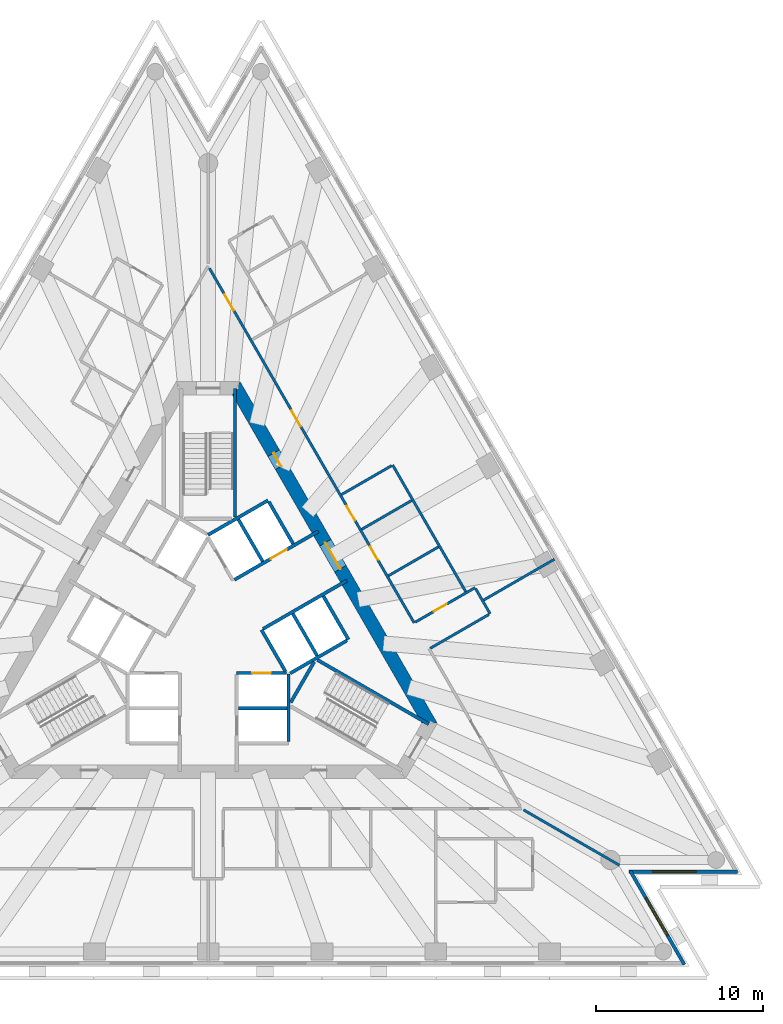
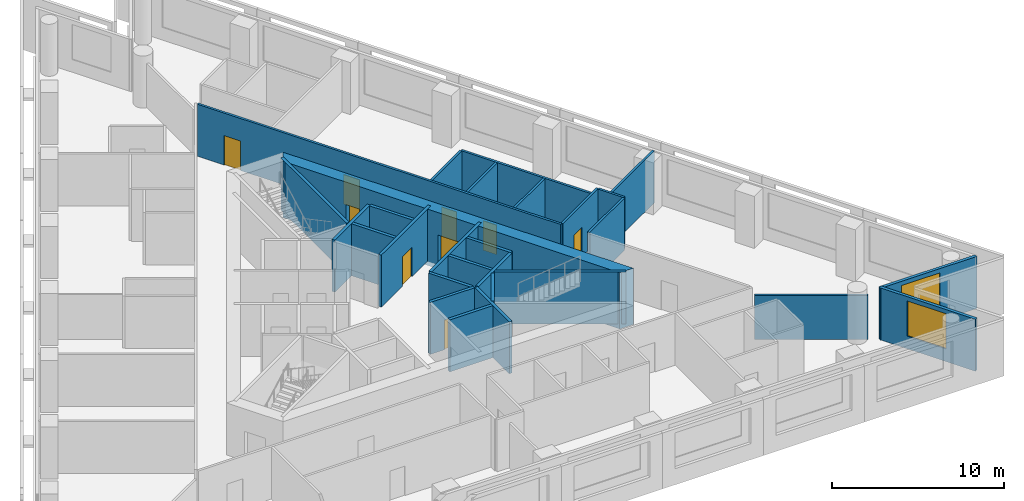
# One storey, part 5 of 9: 28 walls, 9 doors, 2 windows, 11 openings.
"""IFC4 building model written with IfcOpenShell, lengths in metres."""

from ifc_helpers import new_model, si_unit, direction, frame, frame_2d, origin, place, context, subcontext, project, spatial, polyline, rectangle, outline, extrude, material, layer, layer_set, layer_usage, type_object, element, fill, save


model = new_model("IFC4")

# Units and contexts
model_context = context("Model", 3, precision=1e-05, world=origin(), true_north=direction((0.0, 1.0)))
body_context = subcontext(model_context, "Body", "Model", "MODEL_VIEW")
ifc_project = project(units=[si_unit("LENGTHUNIT", "METRE"), si_unit("AREAUNIT", "SQUARE_METRE"), si_unit("VOLUMEUNIT", "CUBIC_METRE"), si_unit("PLANEANGLEUNIT", "RADIAN"), si_unit("MASSUNIT", "GRAM", prefix="KILO")], contexts=[model_context])

# Site, building, storey
site_placement = place(None, origin())
site = spatial("IfcSite", under=ifc_project, at=site_placement, CompositionType="ELEMENT")
building_placement = place(site_placement, origin())
building = spatial("IfcBuilding", under=site, at=building_placement, Name="Triada Interchange Tower", CompositionType="ELEMENT")
storey_placement = place(building_placement, frame((0.0, 0.0, 136.300048828125)))
storey = spatial("IfcBuildingStorey", under=building, at=storey_placement, Name="L31", CompositionType="ELEMENT", Elevation=136.300048828125)

# Wall
ifc_material_1 = material(Name="Concrete C30/37", Category="concrete")
ifc_layer_1 = layer(ifc_material_1, 0.199951171875)
ifc_layer_set_1 = layer_set([ifc_layer_1], Name="CORE WALL 200 EI 120")
wall_type_1 = type_object("IfcWallType", Name="CORE WALL 200 EI 120", PredefinedType="SOLIDWALL", material=ifc_layer_set_1)
wall_1_placement = place(storey_placement, frame((1.800048828125, -4.800048828125, 0.0), z_axis=(0.0, 0.0, 1.0), x_axis=(1.0, 0.0, 0.0)))
element("IfcWall", 1, at=wall_1_placement, inside=storey, type_object=wall_type_1, Name="Wall L29 60", PredefinedType="SOLIDWALL", context=body_context, shape_type="SweptSolid", body=[
    extrude(rectangle(XDim=2.89990234375, YDim=0.199951171875, at=frame_2d((1.449951171875, 0.0))), origin(), (0.0, 0.0, 1.0), 3.699951171875),
])

# Wall, opening, door
wall_2_placement = place(storey_placement, frame((1.702880859375, -2.699951171875, 0.0), z_axis=(0.0, 0.0, 1.0), x_axis=(1.0, 0.0, 0.0)))
wall_2 = element("IfcWall", 2, at=wall_2_placement, inside=storey, type_object=wall_type_1, Name="Wall L29 63", PredefinedType="SOLIDWALL", context=body_context, shape_type="SweptSolid", body=[
    extrude(rectangle(XDim=2.97314453125, YDim=0.199951171875, at=frame_2d((1.486572265625, 0.0))), origin(), (0.0, 0.0, 1.0), 3.699951171875),
])
opening_1_placement = place(wall_2_placement, frame((0.93603515625, 0.0, 0.0)))
opening_1 = element("IfcOpeningElement", 3, at=opening_1_placement, cuts=wall_2, Name="Opening LD-LR1", PredefinedType="OPENING", context=body_context, shape_type="SweptSolid", body=[
    extrude(rectangle(XDim=1.10009765625, YDim=2.10009765625, at=frame_2d((0.550048828125, 1.050048828125))), frame((0.0, 0.10986328125, 0.0), z_axis=(0.0, -1.0, 0.0), x_axis=(1.0, 0.0, 0.0)), (0.0, 0.0, 1.0), 0.219970703125),
])
ifc_material_2 = material(Name="Steel S235 door leaf", Category="steel")
door_type_1 = type_object("IfcDoorType", Name="LIFT LANDING DOOR 1100 EI 120", OperationType="SLIDING_TO_LEFT", PredefinedType="DOOR", material=ifc_material_2)
door_1_placement = place(opening_1_placement, origin())
door_1 = element("IfcDoor", 4, at=door_1_placement, inside=storey, type_object=door_type_1, Name="LR1 landing door L31", OperationType="SLIDING_TO_LEFT", OverallHeight=2.10009765625, OverallWidth=1.10009765625, PredefinedType="DOOR", context=body_context, shape_type="SweptSolid", body=[
    extrude(rectangle(XDim=1.10009765625, YDim=2.10009765625, at=frame_2d((0.550048828125, 1.050048828125))), frame((0.0, 0.02490234375, 0.0), z_axis=(0.0, -1.0, 0.0), x_axis=(1.0, 0.0, 0.0)), (0.0, 0.0, 1.0), 0.050048828125),
])
fill(opening_1, door_1)

# Walls
wall_3_placement = place(storey_placement, frame((-0.001953125, 5.5419921875, 0.0), z_axis=(0.0, 0.0, 1.0), x_axis=(0.866103910842, 0.499863997127, 0.0)))
element("IfcWall", 5, at=wall_3_placement, inside=storey, type_object=wall_type_1, Name="Wall L29 64", PredefinedType="SOLIDWALL", context=body_context, shape_type="SweptSolid", body=[
    extrude(rectangle(XDim=4.131103515625, YDim=0.199951171875, at=frame_2d((2.0654296875, 0.0))), origin(), (0.0, 0.0, 1.0), 3.699951171875),
])
wall_4_placement = place(storey_placement, frame((3.18994140625, -0.125, 0.0), z_axis=(0.0, 0.0, 1.0), x_axis=(0.499988658015, -0.866031951983, 0.0)))
element("IfcWall", 6, at=wall_4_placement, inside=storey, type_object=wall_type_1, Name="Wall L29 66", PredefinedType="SOLIDWALL", context=body_context, shape_type="SweptSolid", body=[
    extrude(rectangle(XDim=2.85791015625, YDim=0.199951171875, at=frame_2d((1.428955078125, 0.0))), origin(), (0.0, 0.0, 1.0), 3.699951171875),
])

# Wall, opening, door
wall_5_placement = place(storey_placement, frame((1.576904296875, 2.8740234375, 0.0), z_axis=(0.0, 0.0, 1.0), x_axis=(0.866073694534, 0.499916348638, 0.0)))
wall_5 = element("IfcWall", 7, at=wall_5_placement, inside=storey, type_object=wall_type_1, Name="Wall L29 67", PredefinedType="SOLIDWALL", context=body_context, shape_type="SweptSolid", body=[
    extrude(rectangle(XDim=5.77685546875, YDim=0.199951171875, at=frame_2d((2.888427734375, 0.0))), origin(), (0.0, 0.0, 1.0), 3.699951171875),
])
opening_2_placement = place(wall_5_placement, frame((2.4970703125, 0.0, 0.0)))
opening_2 = element("IfcOpeningElement", 8, at=opening_2_placement, cuts=wall_5, Name="Opening LD-LR6", PredefinedType="OPENING", context=body_context, shape_type="SweptSolid", body=[
    extrude(rectangle(XDim=1.10009765625, YDim=2.10009765625, at=frame_2d((0.550048828125, 1.050048828125))), frame((0.0, 0.10986328125, 0.0), z_axis=(0.0, -1.0, 0.0), x_axis=(1.0, 0.0, 0.0)), (0.0, 0.0, 1.0), 0.219970703125),
])
door_2_placement = place(opening_2_placement, origin())
door_2 = element("IfcDoor", 9, at=door_2_placement, inside=storey, type_object=door_type_1, Name="LR6 landing door L31", OperationType="SLIDING_TO_LEFT", OverallHeight=2.10009765625, OverallWidth=1.10009765625, PredefinedType="DOOR", context=body_context, shape_type="SweptSolid", body=[
    extrude(rectangle(XDim=1.10009765625, YDim=2.10009765625, at=frame_2d((0.550048828125, 1.050048828125))), frame((0.0, 0.02490234375, 0.0), z_axis=(0.0, -1.0, 0.0), x_axis=(1.0, 0.0, 0.0)), (0.0, 0.0, 1.0), 0.050048828125),
])
fill(opening_2, door_2)

# Walls
wall_6_placement = place(storey_placement, frame((4.800048828125, -6.800048828125, 0.0), z_axis=(0.0, 0.0, 1.0), x_axis=(0.0, 1.0, 0.0)))
element("IfcWall", 10, at=wall_6_placement, inside=storey, type_object=wall_type_1, Name="Wall L29 69", PredefinedType="SOLIDWALL", context=body_context, shape_type="SweptSolid", body=[
    extrude(rectangle(XDim=4.029052734375, YDim=0.199951171875, at=frame_2d((2.0146484375, 0.0))), origin(), (0.0, 0.0, 1.0), 3.699951171875),
])
wall_7_placement = place(storey_placement, frame((3.6259765625, 7.52001953125, 0.0), z_axis=(0.0, 0.0, 1.0), x_axis=(0.500060147554, -0.865990674793, 0.0)))
element("IfcWall", 11, at=wall_7_placement, inside=storey, type_object=wall_type_1, Name="Wall L29 70", PredefinedType="SOLIDWALL", context=body_context, shape_type="SweptSolid", body=[
    extrude(rectangle(XDim=2.899658203125, YDim=0.199951171875, at=frame_2d((1.44970703125, 0.0))), origin(), (0.0, 0.0, 1.0), 3.699951171875),
])
wall_8_placement = place(storey_placement, frame((6.8759765625, 1.89111328125, 0.0), z_axis=(0.0, 0.0, 1.0), x_axis=(0.499990139034, -0.866031096941, 0.0)))
element("IfcWall", 12, at=wall_8_placement, inside=storey, type_object=wall_type_1, Name="Wall L29 71", PredefinedType="SOLIDWALL", context=body_context, shape_type="SweptSolid", body=[
    extrude(rectangle(XDim=3.0, YDim=0.199951171875, at=frame_2d((1.5, 0.0))), origin(), (0.0, 0.0, 1.0), 3.699951171875),
])
for number, where, z_axis, x_axis, name in (
    (13, (1.806884765625, 6.469970703125, 0.0), (0.0, 0.0, 1.0), (0.50012328804, -0.865954211699, 0.0), "Wall L29 72"),
    (14, (5.056884765625, 0.841064453125, 0.0), (0.0, 0.0, 1.0), (0.50012328804, -0.865954211699, 0.0), "Wall L29 73"),
):
    element("IfcWall", number, at=place(storey_placement, frame(where, z_axis=z_axis, x_axis=x_axis)), inside=storey, type_object=wall_type_1, Name=name, PredefinedType="SOLIDWALL", context=body_context, shape_type="SweptSolid", body=[
        extrude(rectangle(XDim=2.899658203125, YDim=0.199951171875, at=frame_2d((1.44970703125, 0.0))), origin(), (0.0, 0.0, 1.0), 3.699951171875),
    ])
wall_9_placement = place(storey_placement, frame((3.278076171875, -0.071044921875, 0.0), z_axis=(0.0, 0.0, 1.0), x_axis=(0.865929348003, 0.5001663366, 0.0)))
element("IfcWall", 15, at=wall_9_placement, inside=storey, type_object=wall_type_1, Name="Wall L29 74", PredefinedType="SOLIDWALL", context=body_context, shape_type="SweptSolid", body=[
    extrude(rectangle(XDim=5.7763671875, YDim=0.199951171875, at=frame_2d((2.88818359375, 0.0))), origin(), (0.0, 0.0, 1.0), 3.699951171875),
])
wall_10_placement = place(storey_placement, frame((4.89990234375, -2.714111328125, 0.0), z_axis=(0.0, 0.0, 1.0), x_axis=(0.865992350556, 0.500057245502, 0.0)))
element("IfcWall", 16, at=wall_10_placement, inside=storey, type_object=wall_type_1, Name="Wall L29 75", PredefinedType="SOLIDWALL", context=body_context, shape_type="SweptSolid", body=[
    extrude(rectangle(XDim=3.91357421875, YDim=0.199951171875, at=frame_2d((1.956787109375, 0.0))), origin(), (0.0, 0.0, 1.0), 3.699951171875),
])
ifc_layer_2 = layer(ifc_material_1, 0.199951171875)
ifc_layer_set_2 = layer_set([ifc_layer_2], Name="CORE WALL 200 REI 240")
wall_type_2 = type_object("IfcWallType", Name="CORE WALL 200 REI 240", PredefinedType="SOLIDWALL", material=ifc_layer_set_2)
wall_11_placement = place(storey_placement, frame((1.60009765625, 6.614990234375, 0.0), z_axis=(0.0, 0.0, 1.0), x_axis=(0.0, 1.0, 0.0)))
element("IfcWall", 17, at=wall_11_placement, inside=storey, type_object=wall_type_2, Name="Wall L29 95", PredefinedType="SOLIDWALL", context=body_context, shape_type="SweptSolid", body=[
    extrude(rectangle(XDim=7.6650390625, YDim=0.199951171875, at=frame_2d((3.83251953125, 0.0))), origin(), (0.0, 0.0, 1.0), 3.699951171875),
])
wall_12_placement = place(storey_placement, frame((4.928955078125, -4.4619140625, 0.0), z_axis=(0.0, 0.0, 1.0), x_axis=(0.500200581029, 0.865909567298, 0.0)))
element("IfcWall", 18, at=wall_12_placement, inside=storey, type_object=wall_type_2, Name="Wall L29 99", PredefinedType="SOLIDWALL", context=body_context, shape_type="SweptSolid", body=[
    extrude(rectangle(XDim=2.799072265625, YDim=0.199951171875, at=frame_2d((1.3994140625, 0.0))), origin(), (0.0, 0.0, 1.0), 3.699951171875),
])
wall_13_placement = place(storey_placement, frame((6.529052734375, -1.922119140625, 0.0), z_axis=(0.0, 0.0, 1.0), x_axis=(0.866060938598, -0.499938446846, 0.0)))
element("IfcWall", 19, at=wall_13_placement, inside=storey, type_object=wall_type_2, Name="Wall L29 100", PredefinedType="SOLIDWALL", context=body_context, shape_type="SweptSolid", body=[
    extrude(rectangle(XDim=7.66455078125, YDim=0.199951171875, at=frame_2d((3.832275390625, 0.0))), origin(), (0.0, 0.0, 1.0), 3.699951171875),
])

# Wall, openings, doors
ifc_material_3 = material(Name="Concrete C60/75", Category="concrete")
ifc_layer_3 = layer(ifc_material_3, 0.800048828125)
ifc_layer_set_3 = layer_set([ifc_layer_3], Name="Core wall B 800")
wall_type_3 = type_object("IfcWallType", Name="Core wall B 800", PredefinedType="SHEAR", material=ifc_layer_set_3)
wall_14_placement = place(storey_placement, frame((13.220947265625, -5.699951171875, -0.300048828125), z_axis=(0.0, 0.0, 1.0), x_axis=(-0.499995765644, 0.866027848477, 0.0)))
wall_14 = element("IfcWall", 20, at=wall_14_placement, inside=storey, type_object=wall_type_3, Name="Core wall WB06 L31", PredefinedType="SHEAR", context=body_context, shape_type="SweptSolid", body=[
    extrude(outline(polyline([(-0.23095703125, -0.39990234375), (1.73193359375, -0.39990234375), (3.695068359375, -0.39990234375), (5.657958984375, -0.39990234375), (7.62109375, -0.39990234375), (9.583984375, -0.39990234375), (11.546875, -0.39990234375), (13.510009765625, -0.39990234375), (15.472900390625, -0.39990234375), (17.43603515625, -0.39990234375), (19.39892578125, -0.39990234375), (21.362060546875, -0.39990234375), (23.324951171875, -0.39990234375), (22.863037109375, 0.39990234375), (20.97705078125, 0.39990234375), (19.091064453125, 0.39990234375), (17.205078125, 0.39990234375), (15.319091796875, 0.39990234375), (13.43310546875, 0.39990234375), (11.546875, 0.39990234375), (9.660888671875, 0.39990234375), (7.77490234375, 0.39990234375), (5.888916015625, 0.39990234375), (4.0029296875, 0.39990234375), (2.116943359375, 0.39990234375), (0.23095703125, 0.39990234375), (-0.23095703125, -0.39990234375)])), origin(), (0.0, 0.0, 1.0), 4.0),
])
opening_3_placement = place(wall_14_placement, frame((10.64697265625, 0.0, 0.300048828125)))
opening_3 = element("IfcOpeningElement", 21, at=opening_3_placement, cuts=wall_14, Name="Opening D29-37", PredefinedType="OPENING", context=body_context, shape_type="SweptSolid", body=[
    extrude(rectangle(XDim=1.800048828125, YDim=2.10009765625, at=frame_2d((0.89990234375, 1.050048828125))), frame((0.0, 0.409912109375, 0.0), z_axis=(0.0, -1.0, 0.0), x_axis=(1.0, 0.0, 0.0)), (0.0, 0.0, 1.0), 0.820068359375),
])
opening_4_placement = place(wall_14_placement, frame((17.720947265625, 0.0, 0.300048828125)))
opening_4 = element("IfcOpeningElement", 22, at=opening_4_placement, cuts=wall_14, Name="Opening D29-44", PredefinedType="OPENING", context=body_context, shape_type="SweptSolid", body=[
    extrude(rectangle(XDim=0.89990234375, YDim=2.10009765625, at=frame_2d((0.449951171875, 1.050048828125))), frame((0.0, 0.409912109375, 0.0), z_axis=(0.0, -1.0, 0.0), x_axis=(1.0, 0.0, 0.0)), (0.0, 0.0, 1.0), 0.820068359375),
])
door_type_2 = type_object("IfcDoorType", Name="LOBBY DOOR 1800 EI2 90-C5S200", OperationType="DOUBLE_DOOR_SINGLE_SWING", PredefinedType="DOOR", material=ifc_material_2)
door_3_placement = place(opening_3_placement, origin())
door_3 = element("IfcDoor", 23, at=door_3_placement, inside=storey, type_object=door_type_2, Name="Door D29-37 L31", OperationType="DOUBLE_DOOR_SINGLE_SWING", OverallHeight=2.10009765625, OverallWidth=1.800048828125, PredefinedType="DOOR", context=body_context, shape_type="SweptSolid", body=[
    extrude(rectangle(XDim=1.800048828125, YDim=2.10009765625, at=frame_2d((0.89990234375, 1.050048828125))), frame((0.0, 0.02490234375, 0.0), z_axis=(0.0, -1.0, 0.0), x_axis=(1.0, 0.0, 0.0)), (0.0, 0.0, 1.0), 0.050048828125),
])
fill(opening_3, door_3)
door_type_3 = type_object("IfcDoorType", Name="SERVICE DOOR 900 EI2 45-C5S200", OperationType="NOTDEFINED", PredefinedType="DOOR", material=ifc_material_2)
door_4_placement = place(opening_4_placement, origin())
door_4 = element("IfcDoor", 24, at=door_4_placement, inside=storey, type_object=door_type_3, Name="Door D29-44 L31", OperationType="SINGLE_SWING_RIGHT", OverallHeight=2.10009765625, OverallWidth=0.89990234375, PredefinedType="DOOR", context=body_context, shape_type="SweptSolid", body=[
    extrude(rectangle(XDim=0.89990234375, YDim=2.10009765625, at=frame_2d((0.449951171875, 1.050048828125))), frame((0.0, 0.02490234375, 0.0), z_axis=(0.0, -1.0, 0.0), x_axis=(1.0, 0.0, 0.0)), (0.0, 0.0, 1.0), 0.050048828125),
])
fill(opening_4, door_4)

# Wall, opening, window
ifc_material_4 = material(Name="Cement board")
ifc_layer_4 = layer(ifc_material_4, 0.02001953125, Name="Cement board cladding")
ifc_material_5 = material(Name="Sheathing board")
ifc_layer_5 = layer(ifc_material_5, 0.014892578125, Name="Sheathing board")
ifc_material_6 = material(Name="Mineral wool")
ifc_layer_6 = layer(ifc_material_6, 0.14990234375, Name="Mineral wool between steel studs")
ifc_material_7 = material(Name="Gypsum board")
ifc_layer_7 = layer(ifc_material_7, 0.014892578125, Name="Plasterboard lining")
ifc_layer_set_4 = layer_set([ifc_layer_4, ifc_layer_5, ifc_layer_6, ifc_layer_7], Name="External wall 200")
ifc_layer_usage = layer_usage(ifc_layer_set_4, "AXIS2", "POSITIVE", -0.10009765625)
wall_type_4 = type_object("IfcWallType", Name="External wall 200", PredefinedType="ELEMENTEDWALL", material=ifc_layer_set_4)
wall_15_placement = place(storey_placement, frame((28.43408203125, -20.110107421875, 0.0), z_axis=(0.0, 0.0, 1.0), x_axis=(-0.499975110204, 0.866039773438, 0.0)))
wall_15 = element("IfcWall", 25, at=wall_15_placement, inside=storey, type_object=wall_type_4, material=ifc_layer_usage, Name="External wall L31 SE-1", PredefinedType="ELEMENTEDWALL", context=body_context, shape_type="SweptSolid", body=[
    extrude(rectangle(XDim=6.468505859375, YDim=0.199951171875, at=frame_2d((3.234375, 0.0))), origin(), (0.0, 0.0, 1.0), 3.699951171875),
])
opening_5_placement = place(wall_15_placement, frame((1.989990234375, 0.0, 0.89990234375)))
opening_5 = element("IfcOpeningElement", 26, at=opening_5_placement, cuts=wall_15, Name="Opening WB19", PredefinedType="OPENING", context=body_context, shape_type="SweptSolid", body=[
    extrude(rectangle(XDim=2.60009765625, YDim=2.5, at=frame_2d((1.300048828125, 1.25))), frame((0.0, 0.10986328125, 0.0), z_axis=(0.0, -1.0, 0.0), x_axis=(1.0, 0.0, 0.0)), (0.0, 0.0, 1.0), 0.219970703125),
])
ifc_material_8 = material(Name="Double glazed aluminium window", Category="aluminium")
window_type = type_object("IfcWindowType", Name="Ribbon window B pocket", PartitioningType="SINGLE_PANEL", PredefinedType="WINDOW", material=ifc_material_8)
window_1_placement = place(opening_5_placement, origin())
window_1 = element("IfcWindow", 27, at=window_1_placement, inside=storey, type_object=window_type, Name="Window L31 SE-1 1", OverallHeight=2.5, OverallWidth=2.60009765625, PartitioningType="SINGLE_PANEL", PredefinedType="WINDOW", context=body_context, shape_type="SweptSolid", body=[
    extrude(rectangle(XDim=2.60009765625, YDim=2.5, at=frame_2d((1.300048828125, 1.25))), frame((0.0, 0.030029296875, 0.0), z_axis=(0.0, -1.0, 0.0), x_axis=(1.0, 0.0, 0.0)), (0.0, 0.0, 1.0), 0.06005859375),
])
fill(opening_5, window_1)

wall_16_placement = place(storey_placement, frame((25.14501953125, -14.569091796875, 0.0), z_axis=(0.0, 0.0, 1.0), x_axis=(1.0, 0.0, 0.0)))
wall_16 = element("IfcWall", 28, at=wall_16_placement, inside=storey, type_object=wall_type_4, material=ifc_layer_usage, Name="External wall L31 SE-2", PredefinedType="ELEMENTEDWALL", context=body_context, shape_type="SweptSolid", body=[
    extrude(rectangle(XDim=6.468017578125, YDim=0.199951171875, at=frame_2d((3.23388671875, 0.0))), origin(), (0.0, 0.0, 1.0), 3.699951171875),
])
opening_6_placement = place(wall_16_placement, frame((1.389892578125, 0.0, 0.89990234375)))
opening_6 = element("IfcOpeningElement", 29, at=opening_6_placement, cuts=wall_16, Name="Opening WB20", PredefinedType="OPENING", context=body_context, shape_type="SweptSolid", body=[
    extrude(rectangle(XDim=2.60009765625, YDim=2.5, at=frame_2d((1.300048828125, 1.25))), frame((0.0, 0.10986328125, 0.0), z_axis=(0.0, -1.0, 0.0), x_axis=(1.0, 0.0, 0.0)), (0.0, 0.0, 1.0), 0.219970703125),
])
window_2_placement = place(opening_6_placement, origin())
window_2 = element("IfcWindow", 30, at=window_2_placement, inside=storey, type_object=window_type, Name="Window L31 SE-2 1", OverallHeight=2.5, OverallWidth=2.60009765625, PartitioningType="SINGLE_PANEL", PredefinedType="WINDOW", context=body_context, shape_type="SweptSolid", body=[
    extrude(rectangle(XDim=2.60009765625, YDim=2.5, at=frame_2d((1.300048828125, 1.25))), frame((0.0, 0.030029296875, 0.0), z_axis=(0.0, -1.0, 0.0), x_axis=(1.0, 0.0, 0.0)), (0.0, 0.0, 1.0), 0.06005859375),
])
fill(opening_6, window_2)

# Wall
ifc_material_9 = material(Name="Gypsum board partition")
ifc_layer_8 = layer(ifc_material_9, 0.14990234375)
ifc_layer_set_5 = layer_set([ifc_layer_8], Name="PARTITION 150 EI 180")
wall_type_5 = type_object("IfcWallType", Name="PARTITION 150 EI 180", PredefinedType="PARTITIONING", material=ifc_layer_set_5)
wall_17_placement = place(storey_placement, frame((18.8359375, -10.875, 0.0), z_axis=(0.0, 0.0, 1.0), x_axis=(0.866045319897, -0.499965502695, 0.0)))
element("IfcWall", 31, at=wall_17_placement, inside=storey, type_object=wall_type_5, Name="Wall L29 9", PredefinedType="PARTITIONING", context=body_context, shape_type="SweptSolid", body=[
    extrude(rectangle(XDim=6.6083984375, YDim=0.14990234375, at=frame_2d((3.30419921875, 0.0))), origin(), (0.0, 0.0, 1.0), 3.14990234375),
])

# Wall, openings, doors
wall_18_placement = place(storey_placement, frame((0.075927734375, 21.468017578125, 0.0), z_axis=(0.0, 0.0, 1.0), x_axis=(0.50001203818, -0.866018453426, 0.0)))
wall_18 = element("IfcWall", 32, at=wall_18_placement, inside=storey, type_object=wall_type_5, Name="Wall L29 24", PredefinedType="PARTITIONING", context=body_context, shape_type="SweptSolid", body=[
    extrude(rectangle(XDim=24.44775390625, YDim=0.14990234375, at=frame_2d((12.223876953125, 0.0))), origin(), (0.0, 0.0, 1.0), 3.699951171875),
])
opening_7_placement = place(wall_18_placement, frame((9.798095703125, 0.0, 0.0)))
opening_7 = element("IfcOpeningElement", 33, at=opening_7_placement, cuts=wall_18, Name="Opening D29-22", PredefinedType="OPENING", context=body_context, shape_type="SweptSolid", body=[
    extrude(rectangle(XDim=1.10009765625, YDim=2.10009765625, at=frame_2d((0.550048828125, 1.050048828125))), frame((0.0, 0.0849609375, 0.0), z_axis=(0.0, -1.0, 0.0), x_axis=(1.0, 0.0, 0.0)), (0.0, 0.0, 1.0), 0.169921875),
])
opening_8_placement = place(wall_18_placement, frame((19.197998046875, 0.0, 0.0)))
opening_8 = element("IfcOpeningElement", 34, at=opening_8_placement, cuts=wall_18, Name="Opening D29-24", PredefinedType="OPENING", context=body_context, shape_type="SweptSolid", body=[
    extrude(rectangle(XDim=0.89990234375, YDim=2.10009765625, at=frame_2d((0.449951171875, 1.050048828125))), frame((0.0, 0.0849609375, 0.0), z_axis=(0.0, -1.0, 0.0), x_axis=(1.0, 0.0, 0.0)), (0.0, 0.0, 1.0), 0.169921875),
])
opening_9_placement = place(wall_18_placement, frame((16.39794921875, 0.0, 0.0)))
opening_9 = element("IfcOpeningElement", 35, at=opening_9_placement, cuts=wall_18, Name="Opening D29-25", PredefinedType="OPENING", context=body_context, shape_type="SweptSolid", body=[
    extrude(rectangle(XDim=1.0, YDim=2.10009765625, at=frame_2d((0.5, 1.050048828125))), frame((0.0, 0.0849609375, 0.0), z_axis=(0.0, -1.0, 0.0), x_axis=(1.0, 0.0, 0.0)), (0.0, 0.0, 1.0), 0.169921875),
])
opening_10_placement = place(wall_18_placement, frame((1.81494140625, 0.0, 0.0)))
opening_10 = element("IfcOpeningElement", 36, at=opening_10_placement, cuts=wall_18, Name="Opening D29-26", PredefinedType="OPENING", context=body_context, shape_type="SweptSolid", body=[
    extrude(rectangle(XDim=1.10009765625, YDim=2.10009765625, at=frame_2d((0.550048828125, 1.050048828125))), frame((0.0, 0.0849609375, 0.0), z_axis=(0.0, -1.0, 0.0), x_axis=(1.0, 0.0, 0.0)), (0.0, 0.0, 1.0), 0.169921875),
])
door_type_4 = type_object("IfcDoorType", Name="ROOM DOOR 1000 EI2 90-C5S200", OperationType="NOTDEFINED", PredefinedType="DOOR", material=ifc_material_2)
door_5_placement = place(opening_9_placement, origin())
door_5 = element("IfcDoor", 37, at=door_5_placement, inside=storey, type_object=door_type_4, Name="Door D29-25 L31", OperationType="SINGLE_SWING_LEFT", OverallHeight=2.10009765625, OverallWidth=1.0, PredefinedType="DOOR", context=body_context, shape_type="SweptSolid", body=[
    extrude(rectangle(XDim=1.0, YDim=2.10009765625, at=frame_2d((0.5, 1.050048828125))), frame((0.0, 0.02490234375, 0.0), z_axis=(0.0, -1.0, 0.0), x_axis=(1.0, 0.0, 0.0)), (0.0, 0.0, 1.0), 0.050048828125),
])
fill(opening_9, door_5)
door_type_5 = type_object("IfcDoorType", Name="ROOM DOOR 900 EI2 90-C5S200", OperationType="NOTDEFINED", PredefinedType="DOOR", material=ifc_material_2)
door_6_placement = place(opening_8_placement, origin())
door_6 = element("IfcDoor", 38, at=door_6_placement, inside=storey, type_object=door_type_5, Name="Door D29-24 L31", OperationType="SINGLE_SWING_LEFT", OverallHeight=2.10009765625, OverallWidth=0.89990234375, PredefinedType="DOOR", context=body_context, shape_type="SweptSolid", body=[
    extrude(rectangle(XDim=0.89990234375, YDim=2.10009765625, at=frame_2d((0.449951171875, 1.050048828125))), frame((0.0, 0.02490234375, 0.0), z_axis=(0.0, -1.0, 0.0), x_axis=(1.0, 0.0, 0.0)), (0.0, 0.0, 1.0), 0.050048828125),
])
fill(opening_8, door_6)
door_type_6 = type_object("IfcDoorType", Name="TENANCY ENTRANCE DOOR 1100 EI2 90-C5S200", OperationType="NOTDEFINED", PredefinedType="DOOR", material=ifc_material_2)
door_7_placement = place(opening_7_placement, origin())
door_7 = element("IfcDoor", 39, at=door_7_placement, inside=storey, type_object=door_type_6, Name="Door D29-22 L31", OperationType="SINGLE_SWING_LEFT", OverallHeight=2.10009765625, OverallWidth=1.10009765625, PredefinedType="DOOR", context=body_context, shape_type="SweptSolid", body=[
    extrude(rectangle(XDim=1.10009765625, YDim=2.10009765625, at=frame_2d((0.550048828125, 1.050048828125))), frame((0.0, 0.02490234375, 0.0), z_axis=(0.0, -1.0, 0.0), x_axis=(1.0, 0.0, 0.0)), (0.0, 0.0, 1.0), 0.050048828125),
])
fill(opening_7, door_7)
door_8_placement = place(opening_10_placement, origin())
door_8 = element("IfcDoor", 40, at=door_8_placement, inside=storey, type_object=door_type_6, Name="Door D29-26 L31", OperationType="SINGLE_SWING_LEFT", OverallHeight=2.10009765625, OverallWidth=1.10009765625, PredefinedType="DOOR", context=body_context, shape_type="SweptSolid", body=[
    extrude(rectangle(XDim=1.10009765625, YDim=2.10009765625, at=frame_2d((0.550048828125, 1.050048828125))), frame((0.0, 0.02490234375, 0.0), z_axis=(0.0, -1.0, 0.0), x_axis=(1.0, 0.0, 0.0)), (0.0, 0.0, 1.0), 0.050048828125),
])
fill(opening_10, door_8)

# Walls
wall_19_placement = place(storey_placement, frame((11.01806640625, 9.717041015625, 0.0), z_axis=(0.0, 0.0, 1.0), x_axis=(0.499888770922, -0.866089612399, 0.0)))
element("IfcWall", 41, at=wall_19_placement, inside=storey, type_object=wall_type_5, Name="Wall L29 31", PredefinedType="PARTITIONING", context=body_context, shape_type="SweptSolid", body=[
    extrude(rectangle(XDim=8.7255859375, YDim=0.14990234375, at=frame_2d((4.36279296875, 0.0))), origin(), (0.0, 0.0, 1.0), 3.699951171875),
])
wall_20_placement = place(storey_placement, frame((7.965087890625, 7.9541015625, 0.0), z_axis=(0.0, 0.0, 1.0), x_axis=(0.866044174857, 0.499967486139, 0.0)))
element("IfcWall", 42, at=wall_20_placement, inside=storey, type_object=wall_type_5, Name="Wall L29 32", PredefinedType="PARTITIONING", context=body_context, shape_type="SweptSolid", body=[
    extrude(rectangle(XDim=3.449951171875, YDim=0.14990234375, at=frame_2d((1.72509765625, 0.0))), origin(), (0.0, 0.0, 1.0), 3.699951171875),
])
for number, where, z_axis, x_axis, name in (
    (43, (9.1650390625, 5.8759765625, 0.0), (0.0, 0.0, 1.0), (0.866031223622, 0.49998991961, 0.0), "Wall L29 33"),
    (44, (10.764892578125, 3.10400390625, 0.0), (0.0, 0.0, 1.0), (0.866031223622, 0.49998991961, 0.0), "Wall L29 34"),
):
    element("IfcWall", number, at=place(storey_placement, frame(where, z_axis=z_axis, x_axis=x_axis)), inside=storey, type_object=wall_type_5, Name=name, PredefinedType="PARTITIONING", context=body_context, shape_type="SweptSolid", body=[
        extrude(rectangle(XDim=3.4501953125, YDim=0.14990234375, at=frame_2d((1.72509765625, 0.0))), origin(), (0.0, 0.0, 1.0), 3.699951171875),
    ])

# Wall, opening, door
wall_21_placement = place(storey_placement, frame((12.365966796875, 0.3330078125, 0.0), z_axis=(0.0, 0.0, 1.0), x_axis=(0.865997263264, 0.500048737644, 0.0)))
wall_21 = element("IfcWall", 45, at=wall_21_placement, inside=storey, type_object=wall_type_5, Name="Wall L29 35", PredefinedType="PARTITIONING", context=body_context, shape_type="SweptSolid", body=[
    extrude(rectangle(XDim=4.12353515625, YDim=0.14990234375, at=frame_2d((2.061767578125, 0.0))), origin(), (0.0, 0.0, 1.0), 3.699951171875),
])
opening_11_placement = place(wall_21_placement, frame((1.27392578125, 0.0, 0.0)))
opening_11 = element("IfcOpeningElement", 46, at=opening_11_placement, cuts=wall_21, Name="Opening D29-23", PredefinedType="OPENING", context=body_context, shape_type="SweptSolid", body=[
    extrude(rectangle(XDim=0.89990234375, YDim=2.10009765625, at=frame_2d((0.449951171875, 1.050048828125))), frame((0.0, 0.0849609375, 0.0), z_axis=(0.0, -1.0, 0.0), x_axis=(1.0, 0.0, 0.0)), (0.0, 0.0, 1.0), 0.169921875),
])
door_9_placement = place(opening_11_placement, origin())
door_9 = element("IfcDoor", 47, at=door_9_placement, inside=storey, type_object=door_type_5, Name="Door D29-23 L31", OperationType="SINGLE_SWING_LEFT", OverallHeight=2.10009765625, OverallWidth=0.89990234375, PredefinedType="DOOR", context=body_context, shape_type="SweptSolid", body=[
    extrude(rectangle(XDim=0.89990234375, YDim=2.10009765625, at=frame_2d((0.449951171875, 1.050048828125))), frame((0.0, 0.02490234375, 0.0), z_axis=(0.0, -1.0, 0.0), x_axis=(1.0, 0.0, 0.0)), (0.0, 0.0, 1.0), 0.050048828125),
])
fill(opening_11, door_9)

# Walls
wall_22_placement = place(storey_placement, frame((15.97509765625, 2.3310546875, 0.0), z_axis=(0.0, 0.0, 1.0), x_axis=(0.499640762619, -0.866232710263, 0.0)))
element("IfcWall", 48, at=wall_22_placement, inside=storey, type_object=wall_type_5, Name="Wall L29 37", PredefinedType="PARTITIONING", context=body_context, shape_type="SweptSolid", body=[
    extrude(rectangle(XDim=1.724853515625, YDim=0.14990234375, at=frame_2d((0.8623046875, 0.0))), origin(), (0.0, 0.0, 1.0), 3.699951171875),
])
wall_23_placement = place(storey_placement, frame((16.451904296875, 1.654052734375, 0.0), z_axis=(0.0, 0.0, 1.0), x_axis=(0.866097235509, 0.49987556316, 0.0)))
element("IfcWall", 49, at=wall_23_placement, inside=storey, type_object=wall_type_5, Name="Wall L29 38", PredefinedType="PARTITIONING", context=body_context, shape_type="SweptSolid", body=[
    extrude(rectangle(XDim=4.877197265625, YDim=0.14990234375, at=frame_2d((2.4384765625, 0.0))), origin(), (0.0, 0.0, 1.0), 3.699951171875),
])
wall_24_placement = place(storey_placement, frame((13.26611328125, -1.22509765625, 0.0), z_axis=(0.0, 0.0, 1.0), x_axis=(0.866079163253, 0.499906874306, 0.0)))
element("IfcWall", 50, at=wall_24_placement, inside=storey, type_object=wall_type_5, Name="Wall L29 39", PredefinedType="PARTITIONING", context=body_context, shape_type="SweptSolid", body=[
    extrude(rectangle(XDim=4.049072265625, YDim=0.14990234375, at=frame_2d((2.0244140625, 0.0))), origin(), (0.0, 0.0, 1.0), 3.699951171875),
])

save(model, "model.ifc")
